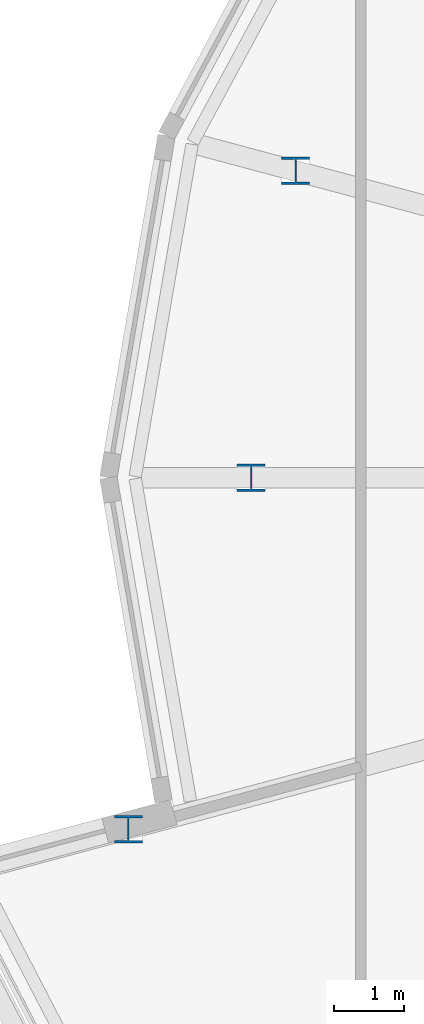
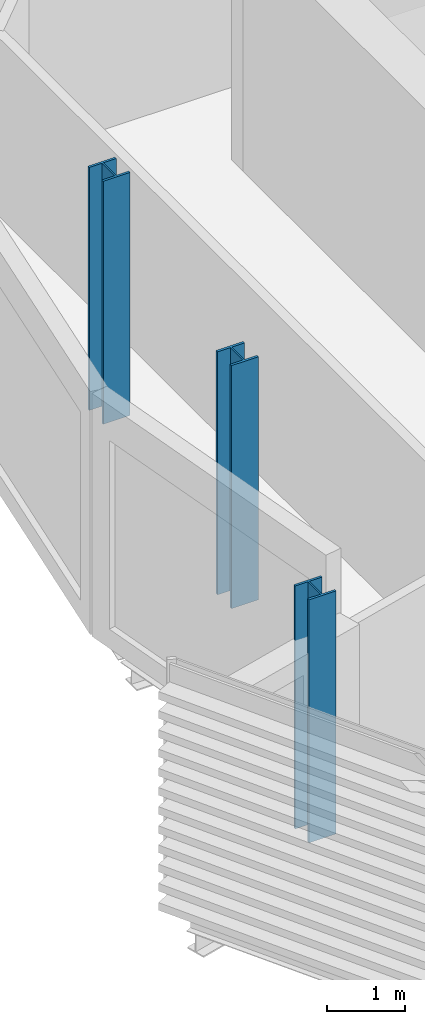
# One storey, part 1 of 36: 3 columns.
"""IFC4 building model written with IfcOpenShell, lengths in metres."""

import ifcopenshell
import ifcopenshell.guid

model = None  # the IFC model being written
_history = None  # IfcOwnerHistory: only IFC2X3 demands one
_inside = {}  # id of a spatial element -> (the spatial element, [elements in it])
_under = {}  # id of a project, library or spatial element -> (it, [spatial elements below it])
_declared = {}  # id of a project -> (the project, [libraries it declares])
_typed = {}  # id of a type object -> (the type object, [elements of that type])
_made_of = {}  # id of a material, layer set ... -> (it, [elements and type objects made of it])


def new_model(schema):
    """Start an empty IFC model of exactly this schema.

    Asked for "IFC4X3", IfcOpenShell would pick the latest addendum, in which some entities
    have other attributes; the version numbers below select the first issue.
    IFC2X3 requires an IfcOwnerHistory on every rooted entity: one is made here for all.
    """
    global model, _history
    if schema == "IFC4X3":
        model = ifcopenshell.file(schema_version=(4, 3, 0, 0))
    else:
        model = ifcopenshell.file(schema=schema)
    _inside.clear()
    _under.clear()
    _declared.clear()
    _typed.clear()
    _made_of.clear()
    _history = None
    if model.schema == "IFC2X3":
        org = make("IfcOrganization", Name="unknown")
        user = make(
            "IfcPersonAndOrganization",
            ThePerson=make("IfcPerson", FamilyName="unknown"),
            TheOrganization=org,
        )
        app = make(
            "IfcApplication",
            ApplicationDeveloper=org,
            Version="unknown",
            ApplicationFullName="unknown",
            ApplicationIdentifier="unknown",
        )
        _history = make(
            "IfcOwnerHistory",
            OwningUser=user,
            OwningApplication=app,
            ChangeAction="ADDED",
            CreationDate=0,
        )
    return model


def make(cls, **values):
    """One entity of the class cls with the attributes given. An attribute that is None is left unset."""
    return model.create_entity(
        cls, **{name: value for name, value in values.items() if value is not None}
    )


def rooted(cls, **values):
    """An entity with a GlobalId (a new one), such as an element, a storey or a relation."""
    return make(cls, GlobalId=ifcopenshell.guid.new(), OwnerHistory=_history, **values)


def si_unit(unit_type, name, prefix=None):
    """IfcSIUnit, for example si_unit("LENGTHUNIT", "METRE", prefix="MILLI")."""
    return make("IfcSIUnit", UnitType=unit_type, Prefix=prefix, Name=name)


def assignment(units):
    """IfcUnitAssignment: the units of a project."""
    return None if units is None else make("IfcUnitAssignment", Units=units)


def point(xyz):
    """IfcCartesianPoint."""
    return None if xyz is None else make("IfcCartesianPoint", Coordinates=xyz)


def direction(xyz):
    """IfcDirection."""
    return None if xyz is None else make("IfcDirection", DirectionRatios=xyz)


def frame(location, z_axis=None, x_axis=None):
    """IfcAxis2Placement3D, a coordinate frame: its origin and axes. An axis left out is left unset."""
    return make(
        "IfcAxis2Placement3D",
        Location=point(location),
        Axis=direction(z_axis),
        RefDirection=direction(x_axis),
    )


def frame_2d(location, x_axis=None):
    """IfcAxis2Placement2D, a coordinate frame in the plane: its origin and x axis."""
    return make(
        "IfcAxis2Placement2D", Location=point(location), RefDirection=direction(x_axis)
    )


def origin():
    """The frame at (0, 0, 0) with its axes left unset."""
    return frame((0.0, 0.0, 0.0))


def origin_2d():
    """The frame at (0, 0) in the plane with its x axis left unset."""
    return frame_2d((0.0, 0.0))


def place(relative_to, where):
    """IfcLocalPlacement: puts the frame where relative to a parent placement (None: the world)."""
    return make(
        "IfcLocalPlacement", PlacementRelTo=relative_to, RelativePlacement=where
    )


def context(
    kind, dimensions, precision=None, world=None, true_north=None, identifier=None
):
    """IfcGeometricRepresentationContext, for example the 3D "Model" context."""
    return make(
        "IfcGeometricRepresentationContext",
        ContextIdentifier=identifier,
        ContextType=kind,
        CoordinateSpaceDimension=dimensions,
        Precision=precision,
        WorldCoordinateSystem=world,
        TrueNorth=true_north,
    )


def subcontext(parent, identifier, kind, view, scale=None):
    """IfcGeometricRepresentationSubContext, for example "Body" below "Model"."""
    return make(
        "IfcGeometricRepresentationSubContext",
        ContextIdentifier=identifier,
        ContextType=kind,
        ParentContext=parent,
        TargetScale=scale,
        TargetView=view,
    )


def project(units=None, contexts=None):
    """IfcProject with its units and contexts."""
    return rooted(
        "IfcProject",
        Name="project",
        RepresentationContexts=contexts,
        UnitsInContext=assignment(units),
    )


def spatial(cls, under=None, at=None, **own):
    """A site, building, storey or space (cls), placed at a placement, below another one or the project."""
    s = rooted(cls, ObjectPlacement=at, **own)
    if under is not None:
        _under.setdefault(under.id(), (under, []))[1].append(s)
    return s


def profile(cls, at=None, kind="AREA", **sizes):
    """A parametric profile (cls). Its sizes go by their IFC names, for example OverallWidth=200.0."""
    return make(cls, ProfileType=kind, Position=at, **sizes)


def i_section(**sizes):
    """IfcIShapeProfileDef."""
    return profile("IfcIShapeProfileDef", **sizes)


def extrude(swept, where, along, depth):
    """IfcExtrudedAreaSolid: the profile swept, set in the frame where, extruded along a direction by depth."""
    return make(
        "IfcExtrudedAreaSolid",
        SweptArea=swept,
        Position=where,
        ExtrudedDirection=direction(along),
        Depth=depth,
    )


def shape(context_of_items, identifier, shape_type, items):
    """IfcShapeRepresentation: the items that make up one representation, for example the "Body"."""
    return make(
        "IfcShapeRepresentation",
        ContextOfItems=context_of_items,
        RepresentationIdentifier=identifier,
        RepresentationType=shape_type,
        Items=items,
    )


def material(Name=None, Category=None):
    """IfcMaterial."""
    return make("IfcMaterial", Name=Name, Category=Category)


def material_profile(
    of_material, cross_section, Name=None, Category=None, Priority=None
):
    """IfcMaterialProfile: a cross section and its material."""
    return make(
        "IfcMaterialProfile",
        Name=Name,
        Material=of_material,
        Profile=cross_section,
        Priority=Priority,
        Category=Category,
    )


def profile_set(profiles, Name=None, composite=None):
    """IfcMaterialProfileSet."""
    return make(
        "IfcMaterialProfileSet",
        Name=Name,
        MaterialProfiles=profiles,
        CompositeProfile=composite,
    )


def made_of(thing, what):
    """Note that an element or type object is made of a material, layer set ...; save() writes the relation."""
    if what is not None:
        _made_of.setdefault(what.id(), (what, []))[1].append(thing)
    return thing


def type_object(cls, material=None, **own):
    """A type object (cls), such as IfcWallType, which elements share."""
    return made_of(rooted(cls, **own), material)


def element(
    cls,
    number,
    at=None,
    inside=None,
    cuts=None,
    type_object=None,
    material=None,
    context=None,
    identifier="Body",
    shape_type=None,
    held_by="IfcProductDefinitionShape",
    body=None,
    shapes=None,
    **own,
):
    """One element of the class cls, such as IfcWall. Its Tag is "e" and its number.

    at: its placement. inside: the storey or other place that contains it. cuts: it is an
    opening in that element (IfcRelVoidsElement). A single representation is given by context,
    identifier, shape_type and body (its items); several are given by shapes. held_by: the class
    of the entity that holds the representations. save() writes the other relations.
    """
    e = rooted(cls, Tag="e%d" % number, ObjectPlacement=at, **own)
    if body is not None:
        shapes = [shape(context, identifier, shape_type, body)]
    if shapes is not None:
        e.Representation = make(held_by, Representations=shapes)
    if inside is not None:
        _inside.setdefault(inside.id(), (inside, []))[1].append(e)
    if cuts is not None:
        rooted(
            "IfcRelVoidsElement", RelatingBuildingElement=cuts, RelatedOpeningElement=e
        )
    if type_object is not None:
        _typed.setdefault(type_object.id(), (type_object, []))[1].append(e)
    return made_of(e, material)


def aggregate(whole, parts):
    """IfcRelAggregates: a whole, such as a stair, and the parts it consists of."""
    return rooted("IfcRelAggregates", RelatingObject=whole, RelatedObjects=parts)


def save(model, path):
    """Write the relations noted so far, then the file.

    IfcRelAggregates (storeys below a building ...), IfcRelContainedInSpatialStructure (elements
    in a storey), IfcRelDefinesByType, IfcRelAssociatesMaterial and IfcRelDeclares: one each for
    every whole, place, type object, material and project.
    """
    for whole, parts in _under.values():
        aggregate(whole, parts)
    for where, things in _inside.values():
        rooted(
            "IfcRelContainedInSpatialStructure",
            RelatedElements=things,
            RelatingStructure=where,
        )
    for kind, things in _typed.values():
        rooted("IfcRelDefinesByType", RelatedObjects=things, RelatingType=kind)
    for what, things in _made_of.values():
        rooted("IfcRelAssociatesMaterial", RelatedObjects=things, RelatingMaterial=what)
    for by, libraries in _declared.values():
        rooted("IfcRelDeclares", RelatingContext=by, RelatedDefinitions=libraries)
    model.write(path)


model = new_model("IFC4")

# Units and contexts
model_context = context("Model", 3, precision=1e-05, world=origin(), true_north=direction((0.0, 1.0)))
body_context = subcontext(model_context, "Body", "Model", "MODEL_VIEW")
ifc_project = project(units=[si_unit("LENGTHUNIT", "METRE"), si_unit("AREAUNIT", "SQUARE_METRE"), si_unit("VOLUMEUNIT", "CUBIC_METRE"), si_unit("PLANEANGLEUNIT", "RADIAN"), si_unit("MASSUNIT", "GRAM", prefix="KILO")], contexts=[model_context])

# Site, building, storey
site_placement = place(None, origin())
site = spatial("IfcSite", under=ifc_project, at=site_placement, CompositionType="ELEMENT")
building_placement = place(site_placement, origin())
building = spatial("IfcBuilding", under=site, at=building_placement, Name="Rimbun Link Towers", CompositionType="ELEMENT")
storey_placement = place(building_placement, frame((0.0, 0.0, 174.10009765625)))
storey = spatial("IfcBuildingStorey", under=building, at=storey_placement, Name="L42", CompositionType="ELEMENT", Elevation=174.10009765625)

# Columns
ifc_material = material(Name="Steel S355J2", Category="steel")
ifc_material_profile = material_profile(ifc_material, i_section(OverallWidth=0.39892578125, OverallDepth=0.3935546875, WebThickness=0.022705078125, FlangeThickness=0.03662109375, at=origin_2d()), Name="UC 356x406x287")
ifc_profile_set = profile_set([ifc_material_profile], Name="Steel S355J2")
column_type = type_object("IfcColumnType", Name="UC 356x406x287", PredefinedType="COLUMN", material=ifc_profile_set)
for number, where, z_axis, x_axis, name in (
    (1, (-48.119140625, 4.385986328125, -0.150146484375), (0.0, 0.0, 1.0), (1.0, 0.0, 0.0), "Crease post T1 L42 11"),
    (2, (-48.7548828125, 0.0, -0.150146484375), (0.0, 0.0, 1.0), (1.0, 0.0, 0.0), "Crease post T1 L42 12"),
    (3, (-50.508544921875, -5.0263671875, -0.150146484375), (0.0, 0.0, 1.0), (1.0, 0.0, 0.0), "Crease post T1 L42 13"),
):
    element("IfcColumn", number, at=place(storey_placement, frame(where, z_axis=z_axis, x_axis=x_axis)), inside=storey, type_object=column_type, Name=name, PredefinedType="COLUMN", context=body_context, shape_type="SweptSolid", body=[
        extrude(i_section(OverallWidth=0.39892578125, OverallDepth=0.3935546875, WebThickness=0.022705078125, FlangeThickness=0.03662109375, at=origin_2d()), origin(), (0.0, 0.0, 1.0), 3.800048828125),
    ])

save(model, "model.ifc")
